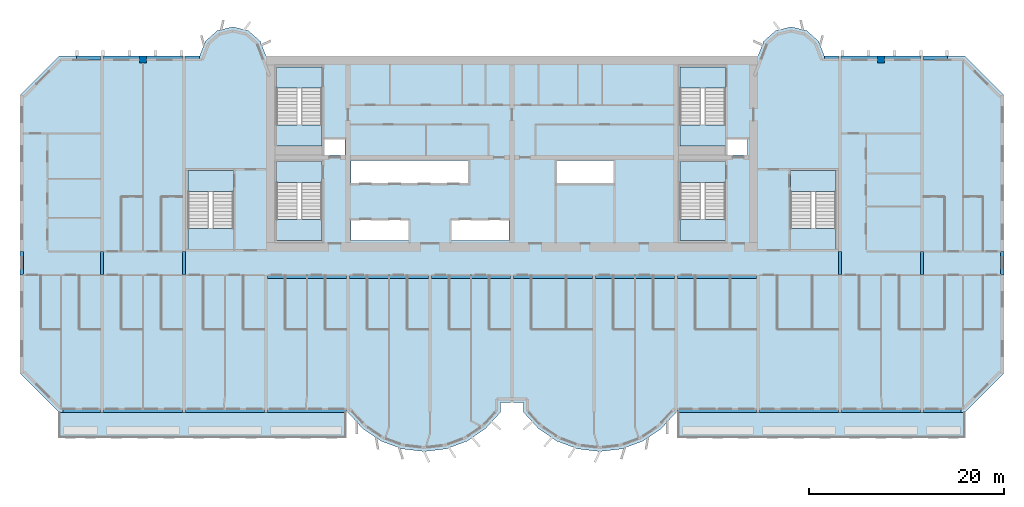
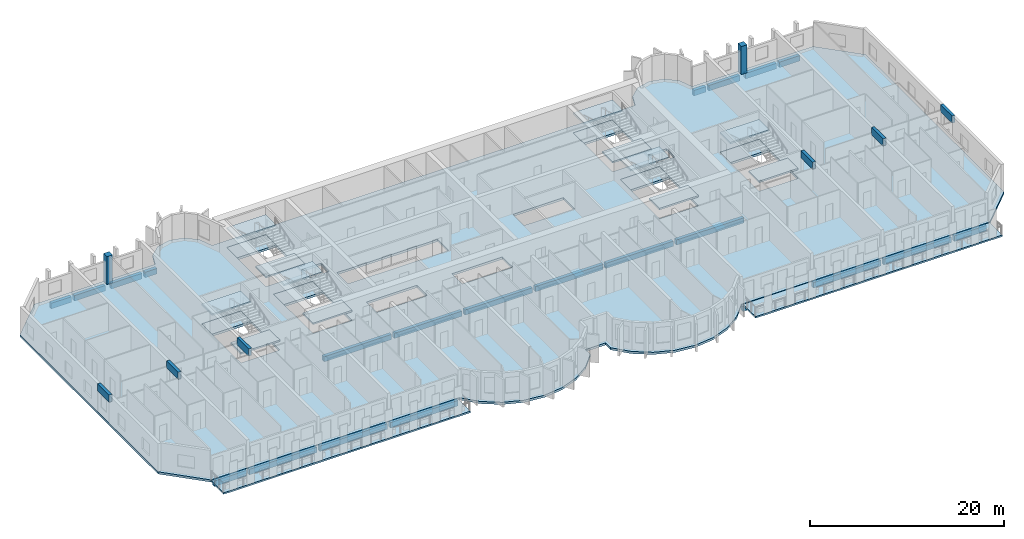
# One storey, part 1 of 14: 28 beams, 21 slabs, 2 columns, 6 elements without a shape of their own.
"""IFC4 building model written with IfcOpenShell, lengths in metres."""

import ifcopenshell
import ifcopenshell.guid

model = None  # the IFC model being written
_history = None  # IfcOwnerHistory: only IFC2X3 demands one
_inside = {}  # id of a spatial element -> (the spatial element, [elements in it])
_under = {}  # id of a project, library or spatial element -> (it, [spatial elements below it])
_declared = {}  # id of a project -> (the project, [libraries it declares])
_typed = {}  # id of a type object -> (the type object, [elements of that type])
_made_of = {}  # id of a material, layer set ... -> (it, [elements and type objects made of it])


def new_model(schema):
    """Start an empty IFC model of exactly this schema.

    Asked for "IFC4X3", IfcOpenShell would pick the latest addendum, in which some entities
    have other attributes; the version numbers below select the first issue.
    IFC2X3 requires an IfcOwnerHistory on every rooted entity: one is made here for all.
    """
    global model, _history
    if schema == "IFC4X3":
        model = ifcopenshell.file(schema_version=(4, 3, 0, 0))
    else:
        model = ifcopenshell.file(schema=schema)
    _inside.clear()
    _under.clear()
    _declared.clear()
    _typed.clear()
    _made_of.clear()
    _history = None
    if model.schema == "IFC2X3":
        org = make("IfcOrganization", Name="unknown")
        user = make(
            "IfcPersonAndOrganization",
            ThePerson=make("IfcPerson", FamilyName="unknown"),
            TheOrganization=org,
        )
        app = make(
            "IfcApplication",
            ApplicationDeveloper=org,
            Version="unknown",
            ApplicationFullName="unknown",
            ApplicationIdentifier="unknown",
        )
        _history = make(
            "IfcOwnerHistory",
            OwningUser=user,
            OwningApplication=app,
            ChangeAction="ADDED",
            CreationDate=0,
        )
    return model


def make(cls, **values):
    """One entity of the class cls with the attributes given. An attribute that is None is left unset."""
    return model.create_entity(
        cls, **{name: value for name, value in values.items() if value is not None}
    )


def rooted(cls, **values):
    """An entity with a GlobalId (a new one), such as an element, a storey or a relation."""
    return make(cls, GlobalId=ifcopenshell.guid.new(), OwnerHistory=_history, **values)


def si_unit(unit_type, name, prefix=None):
    """IfcSIUnit, for example si_unit("LENGTHUNIT", "METRE", prefix="MILLI")."""
    return make("IfcSIUnit", UnitType=unit_type, Prefix=prefix, Name=name)


def assignment(units):
    """IfcUnitAssignment: the units of a project."""
    return None if units is None else make("IfcUnitAssignment", Units=units)


def point(xyz):
    """IfcCartesianPoint."""
    return None if xyz is None else make("IfcCartesianPoint", Coordinates=xyz)


def direction(xyz):
    """IfcDirection."""
    return None if xyz is None else make("IfcDirection", DirectionRatios=xyz)


def frame(location, z_axis=None, x_axis=None):
    """IfcAxis2Placement3D, a coordinate frame: its origin and axes. An axis left out is left unset."""
    return make(
        "IfcAxis2Placement3D",
        Location=point(location),
        Axis=direction(z_axis),
        RefDirection=direction(x_axis),
    )


def frame_2d(location, x_axis=None):
    """IfcAxis2Placement2D, a coordinate frame in the plane: its origin and x axis."""
    return make(
        "IfcAxis2Placement2D", Location=point(location), RefDirection=direction(x_axis)
    )


def origin():
    """The frame at (0, 0, 0) with its axes left unset."""
    return frame((0.0, 0.0, 0.0))


def origin_2d():
    """The frame at (0, 0) in the plane with its x axis left unset."""
    return frame_2d((0.0, 0.0))


def place(relative_to, where):
    """IfcLocalPlacement: puts the frame where relative to a parent placement (None: the world)."""
    return make(
        "IfcLocalPlacement", PlacementRelTo=relative_to, RelativePlacement=where
    )


def context(
    kind, dimensions, precision=None, world=None, true_north=None, identifier=None
):
    """IfcGeometricRepresentationContext, for example the 3D "Model" context."""
    return make(
        "IfcGeometricRepresentationContext",
        ContextIdentifier=identifier,
        ContextType=kind,
        CoordinateSpaceDimension=dimensions,
        Precision=precision,
        WorldCoordinateSystem=world,
        TrueNorth=true_north,
    )


def subcontext(parent, identifier, kind, view, scale=None):
    """IfcGeometricRepresentationSubContext, for example "Body" below "Model"."""
    return make(
        "IfcGeometricRepresentationSubContext",
        ContextIdentifier=identifier,
        ContextType=kind,
        ParentContext=parent,
        TargetScale=scale,
        TargetView=view,
    )


def project(units=None, contexts=None):
    """IfcProject with its units and contexts."""
    return rooted(
        "IfcProject",
        Name="project",
        RepresentationContexts=contexts,
        UnitsInContext=assignment(units),
    )


def spatial(cls, under=None, at=None, **own):
    """A site, building, storey or space (cls), placed at a placement, below another one or the project."""
    s = rooted(cls, ObjectPlacement=at, **own)
    if under is not None:
        _under.setdefault(under.id(), (under, []))[1].append(s)
    return s


def polyline(points):
    """IfcPolyline through the points."""
    return make("IfcPolyline", Points=[point(p) for p in points])


def profile(cls, at=None, kind="AREA", **sizes):
    """A parametric profile (cls). Its sizes go by their IFC names, for example OverallWidth=200.0."""
    return make(cls, ProfileType=kind, Position=at, **sizes)


def rectangle(**sizes):
    """IfcRectangleProfileDef."""
    return profile("IfcRectangleProfileDef", **sizes)


def outline(outer, holes=None, kind="AREA"):
    """IfcArbitraryClosedProfileDef: a profile drawn as a closed curve; with holes, ...WithVoids."""
    if holes is None:
        return make("IfcArbitraryClosedProfileDef", ProfileType=kind, OuterCurve=outer)
    return make(
        "IfcArbitraryProfileDefWithVoids",
        ProfileType=kind,
        OuterCurve=outer,
        InnerCurves=holes,
    )


def extrude(swept, where, along, depth):
    """IfcExtrudedAreaSolid: the profile swept, set in the frame where, extruded along a direction by depth."""
    return make(
        "IfcExtrudedAreaSolid",
        SweptArea=swept,
        Position=where,
        ExtrudedDirection=direction(along),
        Depth=depth,
    )


def shape(context_of_items, identifier, shape_type, items):
    """IfcShapeRepresentation: the items that make up one representation, for example the "Body"."""
    return make(
        "IfcShapeRepresentation",
        ContextOfItems=context_of_items,
        RepresentationIdentifier=identifier,
        RepresentationType=shape_type,
        Items=items,
    )


def source(mapping_origin, context_of_items, identifier, shape_type, items):
    """IfcRepresentationMap: a shape defined once, which mapped items show again and again."""
    return make(
        "IfcRepresentationMap",
        MappingOrigin=mapping_origin,
        MappedRepresentation=shape(context_of_items, identifier, shape_type, items),
    )


def transform(
    local_origin,
    x_axis=None,
    y_axis=None,
    z_axis=None,
    scale=None,
    scale2=None,
    scale3=None,
    uniform=True,
):
    """IfcCartesianTransformationOperator3D, or its non-uniform kind. x_axis, y_axis, z_axis: its Axis1, 2, 3."""
    if uniform:
        return make(
            "IfcCartesianTransformationOperator3D",
            Axis1=direction(x_axis),
            Axis2=direction(y_axis),
            LocalOrigin=point(local_origin),
            Scale=scale,
            Axis3=direction(z_axis),
        )
    return make(
        "IfcCartesianTransformationOperator3DnonUniform",
        Axis1=direction(x_axis),
        Axis2=direction(y_axis),
        LocalOrigin=point(local_origin),
        Scale=scale,
        Axis3=direction(z_axis),
        Scale2=scale2,
        Scale3=scale3,
    )


def mapped(mapping_source, mapping_target):
    """IfcMappedItem: shows the shape of a source again, moved by a transform."""
    return make(
        "IfcMappedItem", MappingSource=mapping_source, MappingTarget=mapping_target
    )


def material(Name=None, Category=None):
    """IfcMaterial."""
    return make("IfcMaterial", Name=Name, Category=Category)


def layer(
    of_material, thickness, ventilated=None, Name=None, Category=None, Priority=None
):
    """IfcMaterialLayer: one layer of a wall or slab, of a material (None: an air gap)."""
    return make(
        "IfcMaterialLayer",
        Material=of_material,
        LayerThickness=thickness,
        IsVentilated=ventilated,
        Name=Name,
        Category=Category,
        Priority=Priority,
    )


def layer_set(layers, Name=None):
    """IfcMaterialLayerSet."""
    return make("IfcMaterialLayerSet", MaterialLayers=layers, LayerSetName=Name)


def material_profile(
    of_material, cross_section, Name=None, Category=None, Priority=None
):
    """IfcMaterialProfile: a cross section and its material."""
    return make(
        "IfcMaterialProfile",
        Name=Name,
        Material=of_material,
        Profile=cross_section,
        Priority=Priority,
        Category=Category,
    )


def profile_set(profiles, Name=None, composite=None):
    """IfcMaterialProfileSet."""
    return make(
        "IfcMaterialProfileSet",
        Name=Name,
        MaterialProfiles=profiles,
        CompositeProfile=composite,
    )


def made_of(thing, what):
    """Note that an element or type object is made of a material, layer set ...; save() writes the relation."""
    if what is not None:
        _made_of.setdefault(what.id(), (what, []))[1].append(thing)
    return thing


def type_object(cls, material=None, **own):
    """A type object (cls), such as IfcWallType, which elements share."""
    return made_of(rooted(cls, **own), material)


def element(
    cls,
    number,
    at=None,
    inside=None,
    cuts=None,
    type_object=None,
    material=None,
    context=None,
    identifier="Body",
    shape_type=None,
    held_by="IfcProductDefinitionShape",
    body=None,
    shapes=None,
    **own,
):
    """One element of the class cls, such as IfcWall. Its Tag is "e" and its number.

    at: its placement. inside: the storey or other place that contains it. cuts: it is an
    opening in that element (IfcRelVoidsElement). A single representation is given by context,
    identifier, shape_type and body (its items); several are given by shapes. held_by: the class
    of the entity that holds the representations. save() writes the other relations.
    """
    e = rooted(cls, Tag="e%d" % number, ObjectPlacement=at, **own)
    if body is not None:
        shapes = [shape(context, identifier, shape_type, body)]
    if shapes is not None:
        e.Representation = make(held_by, Representations=shapes)
    if inside is not None:
        _inside.setdefault(inside.id(), (inside, []))[1].append(e)
    if cuts is not None:
        rooted(
            "IfcRelVoidsElement", RelatingBuildingElement=cuts, RelatedOpeningElement=e
        )
    if type_object is not None:
        _typed.setdefault(type_object.id(), (type_object, []))[1].append(e)
    return made_of(e, material)


def aggregate(whole, parts):
    """IfcRelAggregates: a whole, such as a stair, and the parts it consists of."""
    return rooted("IfcRelAggregates", RelatingObject=whole, RelatedObjects=parts)


def save(model, path):
    """Write the relations noted so far, then the file.

    IfcRelAggregates (storeys below a building ...), IfcRelContainedInSpatialStructure (elements
    in a storey), IfcRelDefinesByType, IfcRelAssociatesMaterial and IfcRelDeclares: one each for
    every whole, place, type object, material and project.
    """
    for whole, parts in _under.values():
        aggregate(whole, parts)
    for where, things in _inside.values():
        rooted(
            "IfcRelContainedInSpatialStructure",
            RelatedElements=things,
            RelatingStructure=where,
        )
    for kind, things in _typed.values():
        rooted("IfcRelDefinesByType", RelatedObjects=things, RelatingType=kind)
    for what, things in _made_of.values():
        rooted("IfcRelAssociatesMaterial", RelatedObjects=things, RelatingMaterial=what)
    for by, libraries in _declared.values():
        rooted("IfcRelDeclares", RelatingContext=by, RelatedDefinitions=libraries)
    model.write(path)


model = new_model("IFC4")

# Units and contexts
model_context = context("Model", 3, precision=1e-05, world=origin(), true_north=direction((0.0, 1.0)))
body_context = subcontext(model_context, "Body", "Model", "MODEL_VIEW")
ifc_project = project(units=[si_unit("LENGTHUNIT", "METRE"), si_unit("AREAUNIT", "SQUARE_METRE"), si_unit("VOLUMEUNIT", "CUBIC_METRE"), si_unit("PLANEANGLEUNIT", "RADIAN"), si_unit("MASSUNIT", "GRAM", prefix="KILO")], contexts=[model_context])

# Site, building, storey
site_placement = place(None, origin())
site = spatial("IfcSite", under=ifc_project, at=site_placement, CompositionType="ELEMENT")
building_placement = place(site_placement, origin())
building = spatial("IfcBuilding", under=site, at=building_placement, Name="Vanashikhar Sky Hotel", CompositionType="ELEMENT")
storey_placement = place(building_placement, frame((0.0, 0.0, 102.800048828125)))
storey = spatial("IfcBuildingStorey", under=building, at=storey_placement, Name="L24", CompositionType="ELEMENT", Elevation=102.800048828125)

# Columns
ifc_material_1 = material(Name="Concrete M60", Category="concrete")
ifc_material_profile_1 = material_profile(ifc_material_1, rectangle(XDim=0.699951171875, YDim=0.699951171875, at=origin_2d()))
ifc_profile_set_1 = profile_set([ifc_material_profile_1], Name="RC 700x700 column Concrete M60")
column_type = type_object("IfcColumnType", Name="RC 700x700 column Concrete M60", PredefinedType="COLUMN", material=ifc_profile_set_1)
shared_shape_1 = source(origin(), body_context, "Body", "SweptSolid", [
    extrude(rectangle(XDim=0.699951171875, YDim=0.699951171875, at=origin_2d()), origin(), (0.0, 0.0, 1.0), 3.52001953125),
])
for number, where, z_axis, x_axis, name in (
    (1, (12.60009765625, 41.64990234375, 0.0), (0.0, 0.0, 1.0), (1.0, 0.0, 0.0), "CL-L24-CR02"),
    (2, (88.199951171875, 41.64990234375, 0.0), (0.0, 0.0, 1.0), (1.0, 0.0, 0.0), "CL-L24-CR11"),
):
    element("IfcColumn", number, at=place(storey_placement, frame(where, z_axis=z_axis, x_axis=x_axis)), inside=storey, type_object=column_type, Name=name, PredefinedType="COLUMN", context=body_context, shape_type="MappedRepresentation", body=[
        mapped(shared_shape_1, transform((0.0, 0.0, 0.0), scale=1.0)),
    ])

# Beams
ifc_material_2 = material(Name="Concrete M50", Category="concrete")
ifc_material_profile_2 = material_profile(ifc_material_2, rectangle(XDim=0.35009765625, YDim=0.89990234375, at=origin_2d()))
ifc_profile_set_2 = profile_set([ifc_material_profile_2], Name="RC 350x900 beam Concrete M50")
beam_type_1 = type_object("IfcBeamType", Name="RC 350x900 beam Concrete M50", PredefinedType="LINTEL", material=ifc_profile_set_2)
shared_shape_2 = source(origin(), body_context, "Body", "SweptSolid", [
    extrude(rectangle(XDim=0.35009765625, YDim=0.89990234375, at=origin_2d()), origin(), (0.0, 0.0, 1.0), 2.39990234375),
])
for number, where, z_axis, x_axis, name in (
    (3, (0.175048828125, 19.60009765625, 3.070068359375), (0.0, 1.0, 0.0), (-1.0, 0.0, 0.0), "LB-L24-XW01"),
    (4, (8.39990234375, 19.60009765625, 3.070068359375), (0.0, 1.0, 0.0), (-1.0, 0.0, 0.0), "LB-L24-XW02"),
    (5, (16.800048828125, 19.60009765625, 3.070068359375), (0.0, 1.0, 0.0), (-1.0, 0.0, 0.0), "LB-L24-XW03"),
    (6, (84.0, 19.60009765625, 3.070068359375), (0.0, 1.0, 0.0), (-1.0, 0.0, 0.0), "LB-L24-XW11"),
    (7, (92.39990234375, 19.60009765625, 3.070068359375), (0.0, 1.0, 0.0), (-1.0, 0.0, 0.0), "LB-L24-XW12"),
    (8, (100.625, 19.60009765625, 3.070068359375), (0.0, 1.0, 0.0), (-1.0, 0.0, 0.0), "LB-L24-XW13"),
):
    element("IfcBeam", number, at=place(storey_placement, frame(where, z_axis=z_axis, x_axis=x_axis)), inside=storey, type_object=beam_type_1, Name=name, PredefinedType="LINTEL", context=body_context, shape_type="MappedRepresentation", body=[
        mapped(shared_shape_2, transform((0.0, 0.0, 0.0), scale=1.0)),
    ])
ifc_material_profile_3 = material_profile(ifc_material_2, rectangle(XDim=0.39990234375, YDim=0.699951171875, at=origin_2d()))
ifc_profile_set_3 = profile_set([ifc_material_profile_3], Name="RC 400x700 beam Concrete M50")
beam_type_2 = type_object("IfcBeamType", Name="RC 400x700 beam Concrete M50", PredefinedType="SPANDREL", material=ifc_profile_set_3)
shared_shape_3 = source(origin(), body_context, "Body", "SweptSolid", [
    extrude(rectangle(XDim=0.39990234375, YDim=0.699951171875, at=origin_2d()), origin(), (0.0, 0.0, 1.0), 8.050048828125),
])
for number, where, z_axis, x_axis, name in (
    (9, (8.574951171875, 5.699951171875, -0.630126953125), (1.0, 0.0, 0.0), (0.0, 1.0, 0.0), "EB-L24-F01"),
    (10, (25.375, 5.699951171875, -0.630126953125), (1.0, 0.0, 0.0), (0.0, 1.0, 0.0), "EB-L24-F03"),
    (11, (67.375, 5.699951171875, -0.630126953125), (1.0, 0.0, 0.0), (0.0, 1.0, 0.0), "EB-L24-F05"),
    (12, (75.77490234375, 5.699951171875, -0.630126953125), (1.0, 0.0, 0.0), (0.0, 1.0, 0.0), "EB-L24-F06"),
    (13, (84.175048828125, 5.699951171875, -0.630126953125), (1.0, 0.0, 0.0), (0.0, 1.0, 0.0), "EB-L24-F07"),
):
    element("IfcBeam", number, at=place(storey_placement, frame(where, z_axis=z_axis, x_axis=x_axis)), inside=storey, type_object=beam_type_2, Name=name, PredefinedType="SPANDREL", context=body_context, shape_type="MappedRepresentation", body=[
        mapped(shared_shape_3, transform((0.0, 0.0, 0.0), scale=1.0)),
    ])
shared_shape_4 = source(origin(), body_context, "Body", "SweptSolid", [
    extrude(rectangle(XDim=0.39990234375, YDim=0.699951171875, at=origin_2d()), origin(), (0.0, 0.0, 1.0), 8.0498046875),
])
beam_1_placement = place(storey_placement, frame((16.97509765625, 5.699951171875, -0.630126953125), z_axis=(1.0, 0.0, 0.0), x_axis=(0.0, 1.0, 0.0)))
element("IfcBeam", 14, at=beam_1_placement, inside=storey, type_object=beam_type_2, Name="EB-L24-F02", PredefinedType="SPANDREL", context=body_context, shape_type="MappedRepresentation", body=[
    mapped(shared_shape_4, transform((0.0, 0.0, 0.0), scale=1.0)),
])
ifc_material_profile_4 = material_profile(ifc_material_2, rectangle(XDim=0.39990234375, YDim=0.699951171875, at=origin_2d()))
ifc_profile_set_4 = profile_set([ifc_material_profile_4], Name="RC 400x700 cantilever beam Concrete M50")
beam_type_3 = type_object("IfcBeamType", Name="RC 400x700 cantilever beam Concrete M50", PredefinedType="SPANDREL", material=ifc_profile_set_4)
shared_shape_5 = source(origin(), body_context, "Body", "SweptSolid", [
    extrude(rectangle(XDim=0.39990234375, YDim=0.699951171875, at=origin_2d()), origin(), (0.0, 0.0, 1.0), 3.8251953125),
])
beam_2_placement = place(storey_placement, frame((4.39990234375, 5.699951171875, -0.630126953125), z_axis=(1.0, 0.0, 0.0), x_axis=(0.0, 1.0, 0.0)))
element("IfcBeam", 15, at=beam_2_placement, inside=storey, type_object=beam_type_3, Name="EB-L24-F04", PredefinedType="SPANDREL", context=body_context, shape_type="MappedRepresentation", body=[
    mapped(shared_shape_5, transform((0.0, 0.0, 0.0), scale=1.0)),
])
shared_shape_6 = source(origin(), body_context, "Body", "SweptSolid", [
    extrude(rectangle(XDim=0.39990234375, YDim=0.699951171875, at=origin_2d()), origin(), (0.0, 0.0, 1.0), 3.824951171875),
])
beam_3_placement = place(storey_placement, frame((92.574951171875, 5.699951171875, -0.630126953125), z_axis=(1.0, 0.0, 0.0), x_axis=(0.0, 1.0, 0.0)))
element("IfcBeam", 16, at=beam_3_placement, inside=storey, type_object=beam_type_3, Name="EB-L24-F08", PredefinedType="SPANDREL", context=body_context, shape_type="MappedRepresentation", body=[
    mapped(shared_shape_6, transform((0.0, 0.0, 0.0), scale=1.0)),
])
shared_shape_7 = source(origin(), body_context, "Body", "SweptSolid", [
    extrude(rectangle(XDim=0.39990234375, YDim=0.699951171875, at=origin_2d()), origin(), (0.0, 0.0, 1.0), 3.675048828125),
])
for number, where, z_axis, x_axis, name in (
    (17, (8.574951171875, 41.800048828125, -0.630126953125), (1.0, 0.0, 0.0), (0.0, 1.0, 0.0), "EB-L24-R01"),
    (18, (12.949951171875, 41.800048828125, -0.630126953125), (1.0, 0.0, 0.0), (0.0, 1.0, 0.0), "EB-L24-R02"),
    (19, (84.175048828125, 41.800048828125, -0.630126953125), (1.0, 0.0, 0.0), (0.0, 1.0, 0.0), "EB-L24-R05"),
    (20, (88.550048828125, 41.800048828125, -0.630126953125), (1.0, 0.0, 0.0), (0.0, 1.0, 0.0), "EB-L24-R06"),
):
    element("IfcBeam", number, at=place(storey_placement, frame(where, z_axis=z_axis, x_axis=x_axis)), inside=storey, type_object=beam_type_2, Name=name, PredefinedType="SPANDREL", context=body_context, shape_type="MappedRepresentation", body=[
        mapped(shared_shape_7, transform((0.0, 0.0, 0.0), scale=1.0)),
    ])
shared_shape_8 = source(origin(), body_context, "Body", "SweptSolid", [
    extrude(rectangle(XDim=0.39990234375, YDim=0.699951171875, at=origin_2d()), origin(), (0.0, 0.0, 1.0), 2.43017578125),
])
beam_4_placement = place(storey_placement, frame((5.794921875, 41.800048828125, -0.630126953125), z_axis=(1.0, 0.0, 0.0), x_axis=(0.0, 1.0, 0.0)))
element("IfcBeam", 21, at=beam_4_placement, inside=storey, type_object=beam_type_3, Name="EB-L24-R03", PredefinedType="SPANDREL", context=body_context, shape_type="MappedRepresentation", body=[
    mapped(shared_shape_8, transform((0.0, 0.0, 0.0), scale=1.0)),
])
shared_shape_9 = source(origin(), body_context, "Body", "SweptSolid", [
    extrude(rectangle(XDim=0.39990234375, YDim=0.699951171875, at=origin_2d()), origin(), (0.0, 0.0, 1.0), 1.4248046875),
])
beam_5_placement = place(storey_placement, frame((16.97509765625, 41.800048828125, -0.630126953125), z_axis=(1.0, 0.0, 0.0), x_axis=(0.0, 1.0, 0.0)))
element("IfcBeam", 22, at=beam_5_placement, inside=storey, type_object=beam_type_3, Name="EB-L24-R04", PredefinedType="SPANDREL", context=body_context, shape_type="MappedRepresentation", body=[
    mapped(shared_shape_9, transform((0.0, 0.0, 0.0), scale=1.0)),
])
shared_shape_10 = source(origin(), body_context, "Body", "SweptSolid", [
    extrude(rectangle(XDim=0.39990234375, YDim=0.699951171875, at=origin_2d()), origin(), (0.0, 0.0, 1.0), 1.425048828125),
])
beam_6_placement = place(storey_placement, frame((82.39990234375, 41.800048828125, -0.630126953125), z_axis=(1.0, 0.0, 0.0), x_axis=(0.0, 1.0, 0.0)))
element("IfcBeam", 23, at=beam_6_placement, inside=storey, type_object=beam_type_3, Name="EB-L24-R07", PredefinedType="SPANDREL", context=body_context, shape_type="MappedRepresentation", body=[
    mapped(shared_shape_10, transform((0.0, 0.0, 0.0), scale=1.0)),
])
shared_shape_11 = source(origin(), body_context, "Body", "SweptSolid", [
    extrude(rectangle(XDim=0.39990234375, YDim=0.699951171875, at=origin_2d()), origin(), (0.0, 0.0, 1.0), 2.429931640625),
])
beam_7_placement = place(storey_placement, frame((92.574951171875, 41.800048828125, -0.630126953125), z_axis=(1.0, 0.0, 0.0), x_axis=(0.0, 1.0, 0.0)))
element("IfcBeam", 24, at=beam_7_placement, inside=storey, type_object=beam_type_3, Name="EB-L24-R08", PredefinedType="SPANDREL", context=body_context, shape_type="MappedRepresentation", body=[
    mapped(shared_shape_11, transform((0.0, 0.0, 0.0), scale=1.0)),
])
ifc_material_profile_5 = material_profile(ifc_material_2, rectangle(XDim=0.39990234375, YDim=0.64990234375, at=origin_2d()))
ifc_profile_set_5 = profile_set([ifc_material_profile_5], Name="RC 400x650 beam Concrete M50")
beam_type_4 = type_object("IfcBeamType", Name="RC 400x650 beam Concrete M50", PredefinedType="BEAM", material=ifc_profile_set_5)
shared_shape_12 = source(origin(), body_context, "Body", "SweptSolid", [
    extrude(rectangle(XDim=0.39990234375, YDim=0.64990234375, at=origin_2d()), origin(), (0.0, 0.0, 1.0), 8.050048828125),
])
for number, where, z_axis, x_axis, name in (
    (25, (25.375, 19.39990234375, -0.60498046875), (1.0, 0.0, 0.0), (0.0, 1.0, 0.0), "CB-L24-01"),
    (26, (33.77490234375, 19.39990234375, -0.60498046875), (1.0, 0.0, 0.0), (0.0, 1.0, 0.0), "CB-L24-02"),
    (27, (42.175048828125, 19.39990234375, -0.60498046875), (1.0, 0.0, 0.0), (0.0, 1.0, 0.0), "CB-L24-03"),
    (28, (50.574951171875, 19.39990234375, -0.60498046875), (1.0, 0.0, 0.0), (0.0, 1.0, 0.0), "CB-L24-04"),
    (29, (67.375, 19.39990234375, -0.60498046875), (1.0, 0.0, 0.0), (0.0, 1.0, 0.0), "CB-L24-06"),
):
    element("IfcBeam", number, at=place(storey_placement, frame(where, z_axis=z_axis, x_axis=x_axis)), inside=storey, type_object=beam_type_4, Name=name, PredefinedType="BEAM", context=body_context, shape_type="MappedRepresentation", body=[
        mapped(shared_shape_12, transform((0.0, 0.0, 0.0), scale=1.0)),
    ])
shared_shape_13 = source(origin(), body_context, "Body", "SweptSolid", [
    extrude(rectangle(XDim=0.39990234375, YDim=0.64990234375, at=origin_2d()), origin(), (0.0, 0.0, 1.0), 8.0498046875),
])
beam_8_placement = place(storey_placement, frame((58.97509765625, 19.39990234375, -0.60498046875), z_axis=(1.0, 0.0, 0.0), x_axis=(0.0, 1.0, 0.0)))
element("IfcBeam", 30, at=beam_8_placement, inside=storey, type_object=beam_type_4, Name="CB-L24-05", PredefinedType="BEAM", context=body_context, shape_type="MappedRepresentation", body=[
    mapped(shared_shape_13, transform((0.0, 0.0, 0.0), scale=1.0)),
])

# Slabs
ifc_material_3 = material(Name="Concrete M40", Category="concrete")
ifc_layer_1 = layer(ifc_material_3, 0.280029296875)
ifc_layer_set_1 = layer_set([ifc_layer_1], Name="Floor slab 280 mm")
slab_type_1 = type_object("IfcSlabType", Name="Floor slab 280 mm", PredefinedType="FLOOR", material=ifc_layer_set_1)
shared_shape_14 = source(origin(), body_context, "Body", "SweptSolid", [
    extrude(outline(polyline([(49.199951171875, 5.5), (49.199951171875, 6.5), (51.60009765625, 6.5), (51.60009765625, 5.5), (53.133056640625, 3.825927734375), (55.01708984375, 2.55810546875), (57.14599609375, 1.76806640625), (59.39990234375, 1.5), (61.654052734375, 1.76806640625), (63.782958984375, 2.55810546875), (65.6669921875, 3.825927734375), (67.199951171875, 5.5), (96.800048828125, 5.5), (100.800048828125, 9.5), (100.800048828125, 38.0), (96.800048828125, 42.0), (82.39990234375, 42.0), (81.81494140625, 43.527099609375), (80.587890625, 44.610107421875), (79.0, 45.0), (77.412109375, 44.610107421875), (76.18505859375, 43.527099609375), (75.60009765625, 42.0), (25.199951171875, 42.0), (24.614990234375, 43.527099609375), (23.387939453125, 44.610107421875), (21.800048828125, 45.0), (20.2119140625, 44.610107421875), (18.985107421875, 43.527099609375), (18.39990234375, 42.0), (4.0, 42.0), (0.0, 38.0), (0.0, 9.5), (4.0, 5.5), (33.60009765625, 5.5), (35.133056640625, 3.825927734375), (37.01708984375, 2.55810546875), (39.14599609375, 1.76806640625), (41.39990234375, 1.5), (43.654052734375, 1.76806640625), (45.782958984375, 2.55810546875), (47.6669921875, 3.825927734375), (49.199951171875, 5.5)]), holes=[polyline([(33.300048828125, 33.60009765625), (31.050048828125, 33.60009765625), (31.050048828125, 31.89990234375), (33.300048828125, 31.89990234375), (33.300048828125, 33.60009765625)]), polyline([(33.89990234375, 25.199951171875), (33.89990234375, 23.10009765625), (39.89990234375, 23.10009765625), (39.89990234375, 25.199951171875), (33.89990234375, 25.199951171875)]), polyline([(33.89990234375, 31.300048828125), (33.89990234375, 29.0), (45.89990234375, 29.0), (45.89990234375, 31.300048828125), (33.89990234375, 31.300048828125)]), polyline([(44.10009765625, 25.199951171875), (44.10009765625, 23.10009765625), (50.10009765625, 23.10009765625), (50.10009765625, 25.199951171875), (44.10009765625, 25.199951171875)]), polyline([(54.89990234375, 31.300048828125), (54.89990234375, 29.0), (60.89990234375, 29.0), (60.89990234375, 31.300048828125), (54.89990234375, 31.300048828125)]), polyline([(74.5, 33.60009765625), (72.35009765625, 33.60009765625), (72.35009765625, 31.89990234375), (74.5, 31.89990234375), (74.5, 33.60009765625)]), polyline([(30.949951171875, 23.10009765625), (30.949951171875, 31.199951171875), (26.300048828125, 31.199951171875), (26.300048828125, 23.10009765625), (30.949951171875, 23.10009765625)]), polyline([(72.25, 23.10009765625), (72.25, 31.199951171875), (67.60009765625, 31.199951171875), (67.60009765625, 23.10009765625), (72.25, 23.10009765625)]), polyline([(30.949951171875, 32.800048828125), (30.949951171875, 40.89990234375), (26.300048828125, 40.89990234375), (26.300048828125, 32.800048828125), (30.949951171875, 32.800048828125)]), polyline([(72.25, 32.800048828125), (72.25, 40.89990234375), (67.60009765625, 40.89990234375), (67.60009765625, 32.800048828125), (72.25, 32.800048828125)]), polyline([(83.60009765625, 22.199951171875), (83.60009765625, 30.300048828125), (78.949951171875, 30.300048828125), (78.949951171875, 22.199951171875), (83.60009765625, 22.199951171875)]), polyline([(21.85009765625, 22.199951171875), (21.85009765625, 30.300048828125), (17.199951171875, 30.300048828125), (17.199951171875, 22.199951171875), (21.85009765625, 22.199951171875)])]), origin(), (0.0, 0.0, 1.0), 0.280029296875),
])
slab_1_placement = place(storey_placement, frame((0.0, 0.0, -0.280029296875)))
element("IfcSlab", 31, at=slab_1_placement, inside=storey, type_object=slab_type_1, Name="Floor slab L24", PredefinedType="FLOOR", context=body_context, shape_type="MappedRepresentation", body=[
    mapped(shared_shape_14, transform((0.0, 0.0, 0.0), scale=1.0)),
])
ifc_layer_2 = layer(ifc_material_3, 0.199951171875)
ifc_layer_set_2 = layer_set([ifc_layer_2], Name="Balcony slab 200 mm")
slab_type_2 = type_object("IfcSlabType", Name="Balcony slab 200 mm", PredefinedType="USERDEFINED", material=ifc_layer_set_2)
shared_shape_15 = source(origin(), body_context, "Body", "SweptSolid", [
    extrude(outline(polyline([(4.0, 2.89990234375), (33.39990234375, 2.89990234375), (33.39990234375, 5.5), (4.0, 5.5), (4.0, 2.89990234375)])), origin(), (0.0, 0.0, 1.0), 0.199951171875),
])
slab_2_placement = place(storey_placement, frame((0.0, 0.0, -0.25)))
element("IfcSlab", 32, at=slab_2_placement, inside=storey, type_object=slab_type_2, Name="Balcony slab L24 1", ObjectType="BALCONY", PredefinedType="USERDEFINED", context=body_context, shape_type="MappedRepresentation", body=[
    mapped(shared_shape_15, transform((0.0, 0.0, 0.0), scale=1.0)),
])
shared_shape_16 = source(origin(), body_context, "Body", "SweptSolid", [
    extrude(outline(polyline([(67.39990234375, 2.89990234375), (96.800048828125, 2.89990234375), (96.800048828125, 5.5), (67.39990234375, 5.5), (67.39990234375, 2.89990234375)])), origin(), (0.0, 0.0, 1.0), 0.199951171875),
])
slab_3_placement = place(storey_placement, frame((0.0, 0.0, -0.25)))
element("IfcSlab", 33, at=slab_3_placement, inside=storey, type_object=slab_type_2, Name="Balcony slab L24 2", ObjectType="BALCONY", PredefinedType="USERDEFINED", context=body_context, shape_type="MappedRepresentation", body=[
    mapped(shared_shape_16, transform((0.0, 0.0, 0.0), scale=1.0)),
])

# Stair, slabs
stair_type = type_object("IfcStairType", Name="Exit stair 2150", PredefinedType="DOUBLE_RETURN_STAIR", material=ifc_material_3)
stair_1_placement = place(storey_placement, origin())
stair_1 = element("IfcStair", 34, at=stair_1_placement, inside=storey, type_object=stair_type, Name="L24 Exit stair 1", PredefinedType="DOUBLE_RETURN_STAIR")
ifc_layer_3 = layer(ifc_material_3, 0.199951171875)
ifc_layer_set_3 = layer_set([ifc_layer_3], Name="Stair landing 200")
slab_type_3 = type_object("IfcSlabType", Name="Stair landing 200", PredefinedType="LANDING", material=ifc_layer_set_3)
shared_shape_17 = source(origin(), body_context, "Body", "SweptSolid", [
    extrude(outline(polyline([(30.949951171875, 29.050048828125), (30.949951171875, 31.199951171875), (26.300048828125, 31.199951171875), (26.300048828125, 29.050048828125), (30.949951171875, 29.050048828125)])), origin(), (0.0, 0.0, 1.0), 0.199951171875),
])
slab_4_placement = place(storey_placement, frame((0.0, 0.0, 2.333251953125)))
slab_4 = element("IfcSlab", 35, at=slab_4_placement, type_object=slab_type_3, Name="ST-C1 landing 2", PredefinedType="LANDING", context=body_context, shape_type="MappedRepresentation", body=[
    mapped(shared_shape_17, transform((0.0, 0.0, 0.0), scale=1.0)),
])
shared_shape_18 = source(origin(), body_context, "Body", "SweptSolid", [
    extrude(outline(polyline([(30.949951171875, 23.10009765625), (30.949951171875, 25.25), (26.300048828125, 25.25), (26.300048828125, 23.10009765625), (30.949951171875, 23.10009765625)])), origin(), (0.0, 0.0, 1.0), 0.199951171875),
])
slab_5_placement = place(storey_placement, frame((0.0, 0.0, 1.066650390625)))
slab_5 = element("IfcSlab", 36, at=slab_5_placement, type_object=slab_type_3, Name="ST-C1 landing 1", PredefinedType="LANDING", context=body_context, shape_type="MappedRepresentation", body=[
    mapped(shared_shape_18, transform((0.0, 0.0, 0.0), scale=1.0)),
])
aggregate(stair_1, [slab_5, slab_4])

# Slab
ifc_layer_4 = layer(ifc_material_3, 0.280029296875)
ifc_layer_set_4 = layer_set([ifc_layer_4], Name="Stair floor landing 280")
slab_type_4 = type_object("IfcSlabType", Name="Stair floor landing 280", PredefinedType="LANDING", material=ifc_layer_set_4)
shared_shape_19 = source(origin(), body_context, "Body", "SweptSolid", [
    extrude(outline(polyline([(30.949951171875, 29.050048828125), (30.949951171875, 31.199951171875), (26.300048828125, 31.199951171875), (26.300048828125, 29.050048828125), (30.949951171875, 29.050048828125)])), origin(), (0.0, 0.0, 1.0), 0.280029296875),
])
slab_6_placement = place(storey_placement, frame((0.0, 0.0, -0.280029296875)))
element("IfcSlab", 37, at=slab_6_placement, inside=storey, type_object=slab_type_4, Name="Exit stair 1 floor landing", PredefinedType="LANDING", context=body_context, shape_type="MappedRepresentation", body=[
    mapped(shared_shape_19, transform((0.0, 0.0, 0.0), scale=1.0)),
])

# Stair, slabs
stair_2_placement = place(storey_placement, origin())
stair_2 = element("IfcStair", 38, at=stair_2_placement, inside=storey, type_object=stair_type, Name="L24 Exit stair 2", PredefinedType="DOUBLE_RETURN_STAIR")
shared_shape_20 = source(origin(), body_context, "Body", "SweptSolid", [
    extrude(outline(polyline([(72.25, 29.050048828125), (72.25, 31.199951171875), (67.60009765625, 31.199951171875), (67.60009765625, 29.050048828125), (72.25, 29.050048828125)])), origin(), (0.0, 0.0, 1.0), 0.199951171875),
])
slab_7_placement = place(storey_placement, frame((0.0, 0.0, 2.333251953125)))
slab_7 = element("IfcSlab", 39, at=slab_7_placement, type_object=slab_type_3, Name="ST-C2 landing 2", PredefinedType="LANDING", context=body_context, shape_type="MappedRepresentation", body=[
    mapped(shared_shape_20, transform((0.0, 0.0, 0.0), scale=1.0)),
])
shared_shape_21 = source(origin(), body_context, "Body", "SweptSolid", [
    extrude(outline(polyline([(72.25, 23.10009765625), (72.25, 25.25), (67.60009765625, 25.25), (67.60009765625, 23.10009765625), (72.25, 23.10009765625)])), origin(), (0.0, 0.0, 1.0), 0.199951171875),
])
slab_8_placement = place(storey_placement, frame((0.0, 0.0, 1.066650390625)))
slab_8 = element("IfcSlab", 40, at=slab_8_placement, type_object=slab_type_3, Name="ST-C2 landing 1", PredefinedType="LANDING", context=body_context, shape_type="MappedRepresentation", body=[
    mapped(shared_shape_21, transform((0.0, 0.0, 0.0), scale=1.0)),
])
aggregate(stair_2, [slab_8, slab_7])

# Slab
shared_shape_22 = source(origin(), body_context, "Body", "SweptSolid", [
    extrude(outline(polyline([(72.25, 29.050048828125), (72.25, 31.199951171875), (67.60009765625, 31.199951171875), (67.60009765625, 29.050048828125), (72.25, 29.050048828125)])), origin(), (0.0, 0.0, 1.0), 0.280029296875),
])
slab_9_placement = place(storey_placement, frame((0.0, 0.0, -0.280029296875)))
element("IfcSlab", 41, at=slab_9_placement, inside=storey, type_object=slab_type_4, Name="Exit stair 2 floor landing", PredefinedType="LANDING", context=body_context, shape_type="MappedRepresentation", body=[
    mapped(shared_shape_22, transform((0.0, 0.0, 0.0), scale=1.0)),
])

# Stair, slabs
stair_3_placement = place(storey_placement, origin())
stair_3 = element("IfcStair", 42, at=stair_3_placement, inside=storey, type_object=stair_type, Name="L24 Exit stair 3", PredefinedType="DOUBLE_RETURN_STAIR")
shared_shape_23 = source(origin(), body_context, "Body", "SweptSolid", [
    extrude(outline(polyline([(21.85009765625, 28.14990234375), (21.85009765625, 30.300048828125), (17.199951171875, 30.300048828125), (17.199951171875, 28.14990234375), (21.85009765625, 28.14990234375)])), origin(), (0.0, 0.0, 1.0), 0.199951171875),
])
slab_10_placement = place(storey_placement, frame((0.0, 0.0, 2.333251953125)))
slab_10 = element("IfcSlab", 43, at=slab_10_placement, type_object=slab_type_3, Name="ST-W landing 2", PredefinedType="LANDING", context=body_context, shape_type="MappedRepresentation", body=[
    mapped(shared_shape_23, transform((0.0, 0.0, 0.0), scale=1.0)),
])
shared_shape_24 = source(origin(), body_context, "Body", "SweptSolid", [
    extrude(outline(polyline([(21.85009765625, 22.199951171875), (21.85009765625, 24.35009765625), (17.199951171875, 24.35009765625), (17.199951171875, 22.199951171875), (21.85009765625, 22.199951171875)])), origin(), (0.0, 0.0, 1.0), 0.199951171875),
])
slab_11_placement = place(storey_placement, frame((0.0, 0.0, 1.066650390625)))
slab_11 = element("IfcSlab", 44, at=slab_11_placement, type_object=slab_type_3, Name="ST-W landing 1", PredefinedType="LANDING", context=body_context, shape_type="MappedRepresentation", body=[
    mapped(shared_shape_24, transform((0.0, 0.0, 0.0), scale=1.0)),
])
aggregate(stair_3, [slab_11, slab_10])

# Slab
shared_shape_25 = source(origin(), body_context, "Body", "SweptSolid", [
    extrude(outline(polyline([(21.85009765625, 28.14990234375), (21.85009765625, 30.300048828125), (17.199951171875, 30.300048828125), (17.199951171875, 28.14990234375), (21.85009765625, 28.14990234375)])), origin(), (0.0, 0.0, 1.0), 0.280029296875),
])
slab_12_placement = place(storey_placement, frame((0.0, 0.0, -0.280029296875)))
element("IfcSlab", 45, at=slab_12_placement, inside=storey, type_object=slab_type_4, Name="Exit stair 3 floor landing", PredefinedType="LANDING", context=body_context, shape_type="MappedRepresentation", body=[
    mapped(shared_shape_25, transform((0.0, 0.0, 0.0), scale=1.0)),
])

# Stair, slabs
stair_4_placement = place(storey_placement, origin())
stair_4 = element("IfcStair", 46, at=stair_4_placement, inside=storey, type_object=stair_type, Name="L24 Exit stair 4", PredefinedType="DOUBLE_RETURN_STAIR")
shared_shape_26 = source(origin(), body_context, "Body", "SweptSolid", [
    extrude(outline(polyline([(83.60009765625, 28.14990234375), (83.60009765625, 30.300048828125), (78.949951171875, 30.300048828125), (78.949951171875, 28.14990234375), (83.60009765625, 28.14990234375)])), origin(), (0.0, 0.0, 1.0), 0.199951171875),
])
slab_13_placement = place(storey_placement, frame((0.0, 0.0, 2.333251953125)))
slab_13 = element("IfcSlab", 47, at=slab_13_placement, type_object=slab_type_3, Name="ST-E landing 2", PredefinedType="LANDING", context=body_context, shape_type="MappedRepresentation", body=[
    mapped(shared_shape_26, transform((0.0, 0.0, 0.0), scale=1.0)),
])
shared_shape_27 = source(origin(), body_context, "Body", "SweptSolid", [
    extrude(outline(polyline([(83.60009765625, 22.199951171875), (83.60009765625, 24.35009765625), (78.949951171875, 24.35009765625), (78.949951171875, 22.199951171875), (83.60009765625, 22.199951171875)])), origin(), (0.0, 0.0, 1.0), 0.199951171875),
])
slab_14_placement = place(storey_placement, frame((0.0, 0.0, 1.066650390625)))
slab_14 = element("IfcSlab", 48, at=slab_14_placement, type_object=slab_type_3, Name="ST-E landing 1", PredefinedType="LANDING", context=body_context, shape_type="MappedRepresentation", body=[
    mapped(shared_shape_27, transform((0.0, 0.0, 0.0), scale=1.0)),
])
aggregate(stair_4, [slab_14, slab_13])

# Slab
shared_shape_28 = source(origin(), body_context, "Body", "SweptSolid", [
    extrude(outline(polyline([(83.60009765625, 28.14990234375), (83.60009765625, 30.300048828125), (78.949951171875, 30.300048828125), (78.949951171875, 28.14990234375), (83.60009765625, 28.14990234375)])), origin(), (0.0, 0.0, 1.0), 0.280029296875),
])
slab_15_placement = place(storey_placement, frame((0.0, 0.0, -0.280029296875)))
element("IfcSlab", 49, at=slab_15_placement, inside=storey, type_object=slab_type_4, Name="Exit stair 4 floor landing", PredefinedType="LANDING", context=body_context, shape_type="MappedRepresentation", body=[
    mapped(shared_shape_28, transform((0.0, 0.0, 0.0), scale=1.0)),
])

# Stair, slabs
stair_5_placement = place(storey_placement, origin())
stair_5 = element("IfcStair", 50, at=stair_5_placement, inside=storey, type_object=stair_type, Name="L24 Exit stair 5", PredefinedType="DOUBLE_RETURN_STAIR")
shared_shape_29 = source(origin(), body_context, "Body", "SweptSolid", [
    extrude(outline(polyline([(30.949951171875, 38.75), (30.949951171875, 40.89990234375), (26.300048828125, 40.89990234375), (26.300048828125, 38.75), (30.949951171875, 38.75)])), origin(), (0.0, 0.0, 1.0), 0.199951171875),
])
slab_16_placement = place(storey_placement, frame((0.0, 0.0, 2.333251953125)))
slab_16 = element("IfcSlab", 51, at=slab_16_placement, type_object=slab_type_3, Name="ST-C3 landing 2", PredefinedType="LANDING", context=body_context, shape_type="MappedRepresentation", body=[
    mapped(shared_shape_29, transform((0.0, 0.0, 0.0), scale=1.0)),
])
shared_shape_30 = source(origin(), body_context, "Body", "SweptSolid", [
    extrude(outline(polyline([(30.949951171875, 32.800048828125), (30.949951171875, 34.949951171875), (26.300048828125, 34.949951171875), (26.300048828125, 32.800048828125), (30.949951171875, 32.800048828125)])), origin(), (0.0, 0.0, 1.0), 0.199951171875),
])
slab_17_placement = place(storey_placement, frame((0.0, 0.0, 1.066650390625)))
slab_17 = element("IfcSlab", 52, at=slab_17_placement, type_object=slab_type_3, Name="ST-C3 landing 1", PredefinedType="LANDING", context=body_context, shape_type="MappedRepresentation", body=[
    mapped(shared_shape_30, transform((0.0, 0.0, 0.0), scale=1.0)),
])
aggregate(stair_5, [slab_17, slab_16])

# Slab
shared_shape_31 = source(origin(), body_context, "Body", "SweptSolid", [
    extrude(outline(polyline([(30.949951171875, 38.75), (30.949951171875, 40.89990234375), (26.300048828125, 40.89990234375), (26.300048828125, 38.75), (30.949951171875, 38.75)])), origin(), (0.0, 0.0, 1.0), 0.280029296875),
])
slab_18_placement = place(storey_placement, frame((0.0, 0.0, -0.280029296875)))
element("IfcSlab", 53, at=slab_18_placement, inside=storey, type_object=slab_type_4, Name="Exit stair 5 floor landing", PredefinedType="LANDING", context=body_context, shape_type="MappedRepresentation", body=[
    mapped(shared_shape_31, transform((0.0, 0.0, 0.0), scale=1.0)),
])

# Stair, slabs
stair_6_placement = place(storey_placement, origin())
stair_6 = element("IfcStair", 54, at=stair_6_placement, inside=storey, type_object=stair_type, Name="L24 Exit stair 6", PredefinedType="DOUBLE_RETURN_STAIR")
shared_shape_32 = source(origin(), body_context, "Body", "SweptSolid", [
    extrude(outline(polyline([(72.25, 38.75), (72.25, 40.89990234375), (67.60009765625, 40.89990234375), (67.60009765625, 38.75), (72.25, 38.75)])), origin(), (0.0, 0.0, 1.0), 0.199951171875),
])
slab_19_placement = place(storey_placement, frame((0.0, 0.0, 2.333251953125)))
slab_19 = element("IfcSlab", 55, at=slab_19_placement, type_object=slab_type_3, Name="ST-C4 landing 2", PredefinedType="LANDING", context=body_context, shape_type="MappedRepresentation", body=[
    mapped(shared_shape_32, transform((0.0, 0.0, 0.0), scale=1.0)),
])
shared_shape_33 = source(origin(), body_context, "Body", "SweptSolid", [
    extrude(outline(polyline([(72.25, 32.800048828125), (72.25, 34.949951171875), (67.60009765625, 34.949951171875), (67.60009765625, 32.800048828125), (72.25, 32.800048828125)])), origin(), (0.0, 0.0, 1.0), 0.199951171875),
])
slab_20_placement = place(storey_placement, frame((0.0, 0.0, 1.066650390625)))
slab_20 = element("IfcSlab", 56, at=slab_20_placement, type_object=slab_type_3, Name="ST-C4 landing 1", PredefinedType="LANDING", context=body_context, shape_type="MappedRepresentation", body=[
    mapped(shared_shape_33, transform((0.0, 0.0, 0.0), scale=1.0)),
])
aggregate(stair_6, [slab_20, slab_19])

# Slab
shared_shape_34 = source(origin(), body_context, "Body", "SweptSolid", [
    extrude(outline(polyline([(72.25, 38.75), (72.25, 40.89990234375), (67.60009765625, 40.89990234375), (67.60009765625, 38.75), (72.25, 38.75)])), origin(), (0.0, 0.0, 1.0), 0.280029296875),
])
slab_21_placement = place(storey_placement, frame((0.0, 0.0, -0.280029296875)))
element("IfcSlab", 57, at=slab_21_placement, inside=storey, type_object=slab_type_4, Name="Exit stair 6 floor landing", PredefinedType="LANDING", context=body_context, shape_type="MappedRepresentation", body=[
    mapped(shared_shape_34, transform((0.0, 0.0, 0.0), scale=1.0)),
])

save(model, "model.ifc")
